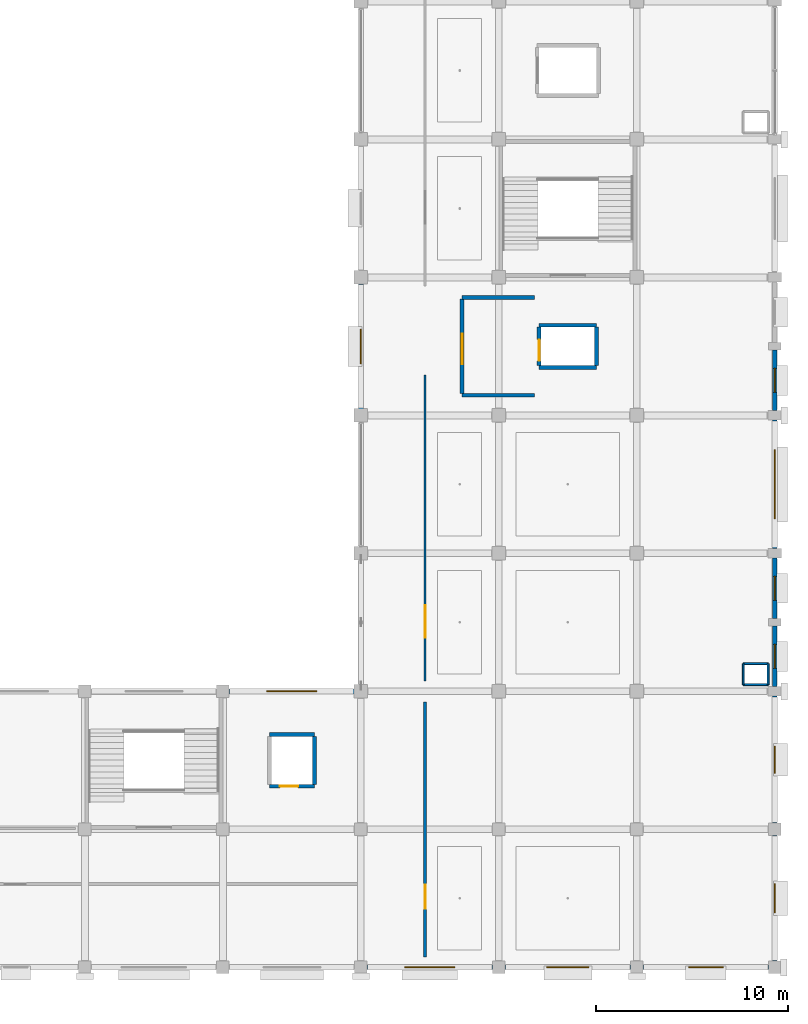
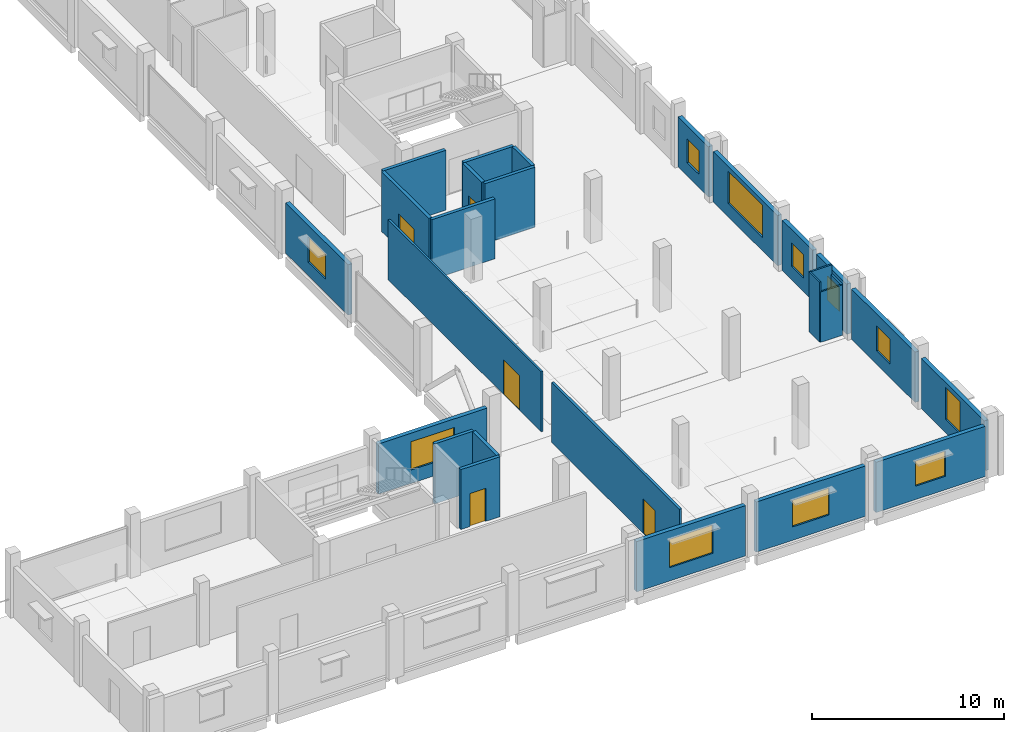
# One storey, part 71 of 91: 27 walls, 11 windows, 5 doors, 16 openings.
"""IFC4 building model written with IfcOpenShell, lengths in metres."""

from ifc_helpers import new_model, si_unit, direction, frame, frame_2d, origin, place, context, subcontext, project, spatial, rectangle, extrude, material, layer, layer_set, type_object, element, fill, save


model = new_model("IFC4")

# Units and contexts
model_context = context("Model", 3, precision=1e-05, world=origin(), true_north=direction((0.0, 1.0)))
body_context = subcontext(model_context, "Body", "Model", "MODEL_VIEW")
ifc_project = project(units=[si_unit("LENGTHUNIT", "METRE"), si_unit("AREAUNIT", "SQUARE_METRE"), si_unit("VOLUMEUNIT", "CUBIC_METRE"), si_unit("PLANEANGLEUNIT", "RADIAN"), si_unit("MASSUNIT", "GRAM", prefix="KILO")], contexts=[model_context])

# Site, building, storey
site_placement = place(None, origin())
site = spatial("IfcSite", under=ifc_project, at=site_placement, CompositionType="ELEMENT")
building_placement = place(site_placement, origin())
building = spatial("IfcBuilding", under=site, at=building_placement, Name="Kangsadwip Square Police Headquarters", CompositionType="ELEMENT")
storey_placement = place(building_placement, frame((0.0, 0.0, 13.5)))
storey = spatial("IfcBuildingStorey", under=building, at=storey_placement, Name="L03", CompositionType="ELEMENT", Elevation=13.5)

# Wall, opening, door
ifc_material_1 = material(Name="Fire-rated double gypsum board acoustic stud partition", Category="masonry")
ifc_layer_1 = layer(ifc_material_1, 0.1201171875)
ifc_layer_set_1 = layer_set([ifc_layer_1], Name="Fire-rated double gypsum board acoustic stud partition")
wall_type_1 = type_object("IfcWallType", Name="AcousticPartition120", PredefinedType="PARTITIONING", material=ifc_layer_set_1)
wall_1_placement = place(storey_placement, frame((147.35009765625, 36.550048828125, 0.0), z_axis=(0.0, 0.0, 1.0), x_axis=(0.0, 1.0, 0.0)))
wall_1 = element("IfcWall", 1, at=wall_1_placement, inside=storey, type_object=wall_type_1, Name="Interior Wall WI-L03-0824", PredefinedType="PARTITIONING", context=body_context, shape_type="SweptSolid", body=[
    extrude(rectangle(XDim=15.949951171875, YDim=0.1201171875, at=frame_2d((7.97509765625, 0.0))), origin(), (0.0, 0.0, 1.0), 3.81005859375),
])
opening_1_placement = place(wall_1_placement, frame((2.25, 0.0, 0.0)))
opening_1 = element("IfcOpeningElement", 2, at=opening_1_placement, cuts=wall_1, Name="Opening ID-17", PredefinedType="OPENING", context=body_context, shape_type="SweptSolid", body=[
    extrude(rectangle(XDim=1.699951171875, YDim=2.199951171875, at=frame_2d((0.85009765625, 1.10009765625))), frame((0.0, 0.070068359375, 0.0), z_axis=(0.0, -1.0, 0.0), x_axis=(1.0, 0.0, 0.0)), (0.0, 0.0, 1.0), 0.14013671875),
])
ifc_material_2 = material(Name="Insulated galvanized steel fire-rated door assembly", Category="steel")
door_type_1 = type_object("IfcDoorType", Name="LabDoubleDoor1700x2200", OperationType="DOUBLE_DOOR_SINGLE_SWING", PredefinedType="DOOR", material=ifc_material_2)
door_1_placement = place(opening_1_placement, origin())
door_1 = element("IfcDoor", 3, at=door_1_placement, inside=storey, type_object=door_type_1, Name="Interior Door ID-L03-0216", OperationType="DOUBLE_DOOR_SINGLE_SWING", OverallHeight=2.199951171875, OverallWidth=1.699951171875, PredefinedType="DOOR", context=body_context, shape_type="SweptSolid", body=[
    extrude(rectangle(XDim=1.699951171875, YDim=2.199951171875, at=frame_2d((0.85009765625, 1.10009765625))), frame((0.0, 0.02490234375, 0.0), z_axis=(0.0, -1.0, 0.0), x_axis=(1.0, 0.0, 0.0)), (0.0, 0.0, 1.0), 0.050048828125),
])
fill(opening_1, door_1)

ifc_material_3 = material(Name="Autoclaved aerated concrete blockwork masonry", Category="masonry")
ifc_layer_2 = layer(ifc_material_3, 0.14990234375)
ifc_layer_set_2 = layer_set([ifc_layer_2], Name="Autoclaved aerated concrete blockwork masonry")
wall_type_2 = type_object("IfcWallType", Name="BlockPartition150", PredefinedType="PARTITIONING", material=ifc_layer_set_2)
wall_2_placement = place(storey_placement, frame((147.35009765625, 22.14990234375, 0.0), z_axis=(0.0, 0.0, 1.0), x_axis=(0.0, 1.0, 0.0)))
wall_2 = element("IfcWall", 4, at=wall_2_placement, inside=storey, type_object=wall_type_2, Name="Interior Wall WI-L03-0829", PredefinedType="PARTITIONING", context=body_context, shape_type="SweptSolid", body=[
    extrude(rectangle(XDim=13.300048828125, YDim=0.14990234375, at=frame_2d((6.64990234375, 0.0))), origin(), (0.0, 0.0, 1.0), 3.81005859375),
])
opening_2_placement = place(wall_2_placement, frame((2.510009765625, 0.0, 0.0)))
opening_2 = element("IfcOpeningElement", 5, at=opening_2_placement, cuts=wall_2, Name="Opening ID-12A", PredefinedType="OPENING", context=body_context, shape_type="SweptSolid", body=[
    extrude(rectangle(XDim=1.25, YDim=2.199951171875, at=frame_2d((0.625, 1.10009765625))), frame((0.0, 0.0849609375, 0.0), z_axis=(0.0, -1.0, 0.0), x_axis=(1.0, 0.0, 0.0)), (0.0, 0.0, 1.0), 0.169921875),
])
ifc_material_4 = material(Name="Solid-core seasoned teak hardwood architectural door", Category="wood")
door_type_2 = type_object("IfcDoorType", Name="ClassroomDoor1250x2200", OperationType="NOTDEFINED", PredefinedType="DOOR", material=ifc_material_4)
door_2_placement = place(opening_2_placement, origin())
door_2 = element("IfcDoor", 6, at=door_2_placement, inside=storey, type_object=door_type_2, Name="Interior Door ID-L03-0220", OperationType="SINGLE_SWING_LEFT", OverallHeight=2.199951171875, OverallWidth=1.25, PredefinedType="DOOR", context=body_context, shape_type="SweptSolid", body=[
    extrude(rectangle(XDim=1.25, YDim=2.199951171875, at=frame_2d((0.625, 1.10009765625))), frame((0.0, 0.02490234375, 0.0), z_axis=(0.0, -1.0, 0.0), x_axis=(1.0, 0.0, 0.0)), (0.0, 0.0, 1.0), 0.050048828125),
])
fill(opening_2, door_2)

# Wall, opening, window
ifc_material_5 = material(Name="Glazed architectural terracotta masonry rainscreen", Category="masonry")
ifc_layer_3 = layer(ifc_material_5, 0.25)
ifc_layer_set_3 = layer_set([ifc_layer_3], Name="Glazed architectural terracotta masonry rainscreen")
wall_type_3 = type_object("IfcWallType", Name="ChicagoTerracottaWall250", PredefinedType="SOLIDWALL", material=ifc_layer_set_3)
wall_3_placement = place(storey_placement, frame((144.320068359375, 21.60009765625, 0.0), z_axis=(0.0, 0.0, 1.0), x_axis=(1.0, 0.0, 0.0)))
wall_3 = element("IfcWall", 7, at=wall_3_placement, inside=storey, type_object=wall_type_3, Name="Exterior Wall WE-L03-366", PredefinedType="SOLIDWALL", context=body_context, shape_type="SweptSolid", body=[
    extrude(rectangle(XDim=6.559814453125, YDim=0.25, at=frame_2d((3.27978515625, 0.0))), origin(), (0.0, 0.0, 1.0), 3.195068359375),
])
opening_3_placement = place(wall_3_placement, frame((1.97998046875, 0.0, 0.85009765625)))
opening_3 = element("IfcOpeningElement", 8, at=opening_3_placement, cuts=wall_3, Name="Opening WN-06", PredefinedType="OPENING", context=body_context, shape_type="SweptSolid", body=[
    extrude(rectangle(XDim=2.60009765625, YDim=1.800048828125, at=frame_2d((1.300048828125, 0.89990234375))), frame((0.0, 0.135009765625, 0.0), z_axis=(0.0, -1.0, 0.0), x_axis=(1.0, 0.0, 0.0)), (0.0, 0.0, 1.0), 0.27001953125),
])
ifc_material_6 = material(Name="Double-glazed solar-control low-E safety glass", Category="glass")
window_type_1 = type_object("IfcWindowType", Name="ChicagoDoubleMullWin2600x1800", PartitioningType="DOUBLE_PANEL_VERTICAL", PredefinedType="WINDOW", material=ifc_material_6)
window_1_placement = place(opening_3_placement, origin())
window_1 = element("IfcWindow", 9, at=window_1_placement, inside=storey, type_object=window_type_1, Name="Window WN-L03-0219", OverallHeight=1.800048828125, OverallWidth=2.60009765625, PartitioningType="SINGLE_PANEL", PredefinedType="WINDOW", context=body_context, shape_type="SweptSolid", body=[
    extrude(rectangle(XDim=2.60009765625, YDim=1.800048828125, at=frame_2d((1.300048828125, 0.89990234375))), frame((0.0, 0.030029296875, 0.0), z_axis=(0.0, -1.0, 0.0), x_axis=(1.0, 0.0, 0.0)), (0.0, 0.0, 1.0), 0.06005859375),
])
fill(opening_3, window_1)

wall_4_placement = place(storey_placement, frame((151.52001953125, 21.60009765625, 0.0), z_axis=(0.0, 0.0, 1.0), x_axis=(1.0, 0.0, 0.0)))
wall_4 = element("IfcWall", 10, at=wall_4_placement, inside=storey, type_object=wall_type_3, Name="Exterior Wall WE-L03-367", PredefinedType="SOLIDWALL", context=body_context, shape_type="SweptSolid", body=[
    extrude(rectangle(XDim=6.56005859375, YDim=0.25, at=frame_2d((3.280029296875, 0.0))), origin(), (0.0, 0.0, 1.0), 3.195068359375),
])
opening_4_placement = place(wall_4_placement, frame((2.179931640625, 0.0, 0.85009765625)))
opening_4 = element("IfcOpeningElement", 11, at=opening_4_placement, cuts=wall_4, Name="Opening WN-08", PredefinedType="OPENING", context=body_context, shape_type="SweptSolid", body=[
    extrude(rectangle(XDim=2.199951171875, YDim=1.699951171875, at=frame_2d((1.10009765625, 0.85009765625))), frame((0.0, 0.135009765625, 0.0), z_axis=(0.0, -1.0, 0.0), x_axis=(1.0, 0.0, 0.0)), (0.0, 0.0, 1.0), 0.27001953125),
])
ifc_material_7 = material(Name="Double-glazed solar-control low-E safety glass", Category="glass")
window_type_2 = type_object("IfcWindowType", Name="ChicagoDoubleMullWin2200x1700", PartitioningType="DOUBLE_PANEL_VERTICAL", PredefinedType="WINDOW", material=ifc_material_7)
window_2_placement = place(opening_4_placement, origin())
window_2 = element("IfcWindow", 12, at=window_2_placement, inside=storey, type_object=window_type_2, Name="Window WN-L03-0220", OverallHeight=1.699951171875, OverallWidth=2.199951171875, PartitioningType="SINGLE_PANEL", PredefinedType="WINDOW", context=body_context, shape_type="SweptSolid", body=[
    extrude(rectangle(XDim=2.199951171875, YDim=1.699951171875, at=frame_2d((1.10009765625, 0.85009765625))), frame((0.0, 0.030029296875, 0.0), z_axis=(0.0, -1.0, 0.0), x_axis=(1.0, 0.0, 0.0)), (0.0, 0.0, 1.0), 0.06005859375),
])
fill(opening_4, window_2)

wall_5_placement = place(storey_placement, frame((158.719970703125, 21.60009765625, 0.0), z_axis=(0.0, 0.0, 1.0), x_axis=(1.0, 0.0, 0.0)))
wall_5 = element("IfcWall", 13, at=wall_5_placement, inside=storey, type_object=wall_type_3, Name="Exterior Wall WE-L03-368", PredefinedType="SOLIDWALL", context=body_context, shape_type="SweptSolid", body=[
    extrude(rectangle(XDim=6.56005859375, YDim=0.25, at=frame_2d((3.280029296875, 0.0))), origin(), (0.0, 0.0, 1.0), 3.195068359375),
])
opening_5_placement = place(wall_5_placement, frame((2.3798828125, 0.0, 0.85009765625)))
opening_5 = element("IfcOpeningElement", 14, at=opening_5_placement, cuts=wall_5, Name="Opening WN-10", PredefinedType="OPENING", context=body_context, shape_type="SweptSolid", body=[
    extrude(rectangle(XDim=1.800048828125, YDim=1.60009765625, at=frame_2d((0.89990234375, 0.800048828125))), frame((0.0, 0.135009765625, 0.0), z_axis=(0.0, -1.0, 0.0), x_axis=(1.0, 0.0, 0.0)), (0.0, 0.0, 1.0), 0.27001953125),
])
ifc_material_8 = material(Name="Double-glazed solar-control low-E safety glass", Category="glass")
window_type_3 = type_object("IfcWindowType", Name="LabCleanViewWin1800x1600", PartitioningType="DOUBLE_PANEL_VERTICAL", PredefinedType="WINDOW", material=ifc_material_8)
window_3_placement = place(opening_5_placement, origin())
window_3 = element("IfcWindow", 15, at=window_3_placement, inside=storey, type_object=window_type_3, Name="Window WN-L03-0221", OverallHeight=1.60009765625, OverallWidth=1.800048828125, PartitioningType="SINGLE_PANEL", PredefinedType="WINDOW", context=body_context, shape_type="SweptSolid", body=[
    extrude(rectangle(XDim=1.800048828125, YDim=1.60009765625, at=frame_2d((0.89990234375, 0.800048828125))), frame((0.0, 0.030029296875, 0.0), z_axis=(0.0, -1.0, 0.0), x_axis=(1.0, 0.0, 0.0)), (0.0, 0.0, 1.0), 0.06005859375),
])
fill(opening_5, window_3)

wall_6_placement = place(storey_placement, frame((137.1201171875, 36.0, 0.0), z_axis=(0.0, 0.0, 1.0), x_axis=(1.0, 0.0, 0.0)))
wall_6 = element("IfcWall", 16, at=wall_6_placement, inside=storey, type_object=wall_type_3, Name="Exterior Wall WE-L03-374", PredefinedType="SOLIDWALL", context=body_context, shape_type="SweptSolid", body=[
    extrude(rectangle(XDim=6.534912109375, YDim=0.25, at=frame_2d((3.267578125, 0.0))), origin(), (0.0, 0.0, 1.0), 3.195068359375),
])
opening_6_placement = place(wall_6_placement, frame((1.967529296875, 0.0, 0.85009765625)))
opening_6 = element("IfcOpeningElement", 17, at=opening_6_placement, cuts=wall_6, Name="Opening WN-06", PredefinedType="OPENING", context=body_context, shape_type="SweptSolid", body=[
    extrude(rectangle(XDim=2.60009765625, YDim=1.800048828125, at=frame_2d((1.300048828125, 0.89990234375))), frame((0.0, 0.135009765625, 0.0), z_axis=(0.0, -1.0, 0.0), x_axis=(1.0, 0.0, 0.0)), (0.0, 0.0, 1.0), 0.27001953125),
])
window_4_placement = place(opening_6_placement, origin())
window_4 = element("IfcWindow", 18, at=window_4_placement, inside=storey, type_object=window_type_1, Name="Window WN-L03-0227", OverallHeight=1.800048828125, OverallWidth=2.60009765625, PartitioningType="SINGLE_PANEL", PredefinedType="WINDOW", context=body_context, shape_type="SweptSolid", body=[
    extrude(rectangle(XDim=2.60009765625, YDim=1.800048828125, at=frame_2d((1.300048828125, 0.89990234375))), frame((0.0, 0.030029296875, 0.0), z_axis=(0.0, -1.0, 0.0), x_axis=(1.0, 0.0, 0.0)), (0.0, 0.0, 1.0), 0.06005859375),
])
fill(opening_6, window_4)

wall_7_placement = place(storey_placement, frame((144.0, 50.7451171875, 0.0), z_axis=(0.0, 0.0, 1.0), x_axis=(0.0, 1.0, 0.0)))
wall_7 = element("IfcWall", 19, at=wall_7_placement, inside=storey, type_object=wall_type_3, Name="Exterior Wall WE-L03-403", PredefinedType="SOLIDWALL", context=body_context, shape_type="SweptSolid", body=[
    extrude(rectangle(XDim=6.509765625, YDim=0.25, at=frame_2d((3.2548828125, 0.0))), origin(), (0.0, 0.0, 1.0), 3.195068359375),
])
opening_7_placement = place(wall_7_placement, frame((2.35498046875, 0.0, 0.85009765625)))
opening_7 = element("IfcOpeningElement", 20, at=opening_7_placement, cuts=wall_7, Name="Opening WN-10", PredefinedType="OPENING", context=body_context, shape_type="SweptSolid", body=[
    extrude(rectangle(XDim=1.800048828125, YDim=1.60009765625, at=frame_2d((0.89990234375, 0.800048828125))), frame((0.0, 0.135009765625, 0.0), z_axis=(0.0, -1.0, 0.0), x_axis=(1.0, 0.0, 0.0)), (0.0, 0.0, 1.0), 0.27001953125),
])
window_5_placement = place(opening_7_placement, origin())
window_5 = element("IfcWindow", 21, at=window_5_placement, inside=storey, type_object=window_type_3, Name="Window WN-L03-0254", OverallHeight=1.60009765625, OverallWidth=1.800048828125, PartitioningType="SINGLE_PANEL", PredefinedType="WINDOW", context=body_context, shape_type="SweptSolid", body=[
    extrude(rectangle(XDim=1.800048828125, YDim=1.60009765625, at=frame_2d((0.89990234375, 0.800048828125))), frame((0.0, 0.030029296875, 0.0), z_axis=(0.0, -1.0, 0.0), x_axis=(1.0, 0.0, 0.0)), (0.0, 0.0, 1.0), 0.06005859375),
])
fill(opening_7, window_5)

wall_8_placement = place(storey_placement, frame((165.60009765625, 21.919921875, 0.0), z_axis=(0.0, 0.0, 1.0), x_axis=(0.0, 1.0, 0.0)))
wall_8 = element("IfcWall", 22, at=wall_8_placement, inside=storey, type_object=wall_type_3, Name="Exterior Wall WE-L03-407", PredefinedType="SOLIDWALL", context=body_context, shape_type="SweptSolid", body=[
    extrude(rectangle(XDim=6.56005859375, YDim=0.25, at=frame_2d((3.280029296875, 0.0))), origin(), (0.0, 0.0, 1.0), 3.195068359375),
])
opening_8_placement = place(wall_8_placement, frame((2.530029296875, 0.0, 0.85009765625)))
opening_8 = element("IfcOpeningElement", 23, at=opening_8_placement, cuts=wall_8, Name="Opening WN-12", PredefinedType="OPENING", context=body_context, shape_type="SweptSolid", body=[
    extrude(rectangle(XDim=1.5, YDim=2.050048828125, at=frame_2d((0.75, 1.02490234375))), frame((0.0, 0.135009765625, 0.0), z_axis=(0.0, -1.0, 0.0), x_axis=(1.0, 0.0, 0.0)), (0.0, 0.0, 1.0), 0.27001953125),
])
ifc_material_9 = material(Name="Double-glazed solar-control low-E safety glass", Category="glass")
window_type_4 = type_object("IfcWindowType", Name="DirectorateTallWin1500x2050", PartitioningType="SINGLE_PANEL", PredefinedType="WINDOW", material=ifc_material_9)
window_6_placement = place(opening_8_placement, origin())
window_6 = element("IfcWindow", 24, at=window_6_placement, inside=storey, type_object=window_type_4, Name="Window WN-L03-0258", OverallHeight=2.050048828125, OverallWidth=1.5, PartitioningType="SINGLE_PANEL", PredefinedType="WINDOW", context=body_context, shape_type="SweptSolid", body=[
    extrude(rectangle(XDim=1.5, YDim=2.050048828125, at=frame_2d((0.75, 1.02490234375))), frame((0.0, 0.030029296875, 0.0), z_axis=(0.0, -1.0, 0.0), x_axis=(1.0, 0.0, 0.0)), (0.0, 0.0, 1.0), 0.06005859375),
])
fill(opening_8, window_6)

wall_9_placement = place(storey_placement, frame((165.60009765625, 29.1201171875, 0.0), z_axis=(0.0, 0.0, 1.0), x_axis=(0.0, 1.0, 0.0)))
wall_9 = element("IfcWall", 25, at=wall_9_placement, inside=storey, type_object=wall_type_3, Name="Exterior Wall WE-L03-408", PredefinedType="SOLIDWALL", context=body_context, shape_type="SweptSolid", body=[
    extrude(rectangle(XDim=6.634765625, YDim=0.25, at=frame_2d((3.3173828125, 0.0))), origin(), (0.0, 0.0, 1.0), 3.195068359375),
])
opening_9_placement = place(wall_9_placement, frame((2.617431640625, 0.0, 0.85009765625)))
opening_9 = element("IfcOpeningElement", 26, at=opening_9_placement, cuts=wall_9, Name="Opening WN-13", PredefinedType="OPENING", context=body_context, shape_type="SweptSolid", body=[
    extrude(rectangle(XDim=1.39990234375, YDim=1.60009765625, at=frame_2d((0.699951171875, 0.800048828125))), frame((0.0, 0.135009765625, 0.0), z_axis=(0.0, -1.0, 0.0), x_axis=(1.0, 0.0, 0.0)), (0.0, 0.0, 1.0), 0.27001953125),
])
ifc_material_10 = material(Name="Double-glazed solar-control low-E safety glass", Category="glass")
window_type_5 = type_object("IfcWindowType", Name="OfficeCasementWin1400x1600", PartitioningType="SINGLE_PANEL", PredefinedType="WINDOW", material=ifc_material_10)
window_7_placement = place(opening_9_placement, origin())
window_7 = element("IfcWindow", 27, at=window_7_placement, inside=storey, type_object=window_type_5, Name="Window WN-L03-0259", OverallHeight=1.60009765625, OverallWidth=1.39990234375, PartitioningType="SINGLE_PANEL", PredefinedType="WINDOW", context=body_context, shape_type="SweptSolid", body=[
    extrude(rectangle(XDim=1.39990234375, YDim=1.60009765625, at=frame_2d((0.699951171875, 0.800048828125))), frame((0.0, 0.030029296875, 0.0), z_axis=(0.0, -1.0, 0.0), x_axis=(1.0, 0.0, 0.0)), (0.0, 0.0, 1.0), 0.06005859375),
])
fill(opening_9, window_7)

wall_10_placement = place(storey_placement, frame((165.60009765625, 36.2451171875, 0.0), z_axis=(0.0, 0.0, 1.0), x_axis=(0.0, 1.0, 0.0)))
wall_10 = element("IfcWall", 28, at=wall_10_placement, inside=storey, type_object=wall_type_3, Name="Exterior Wall WE-L03-409", PredefinedType="SOLIDWALL", context=body_context, shape_type="SweptSolid", body=[
    extrude(rectangle(XDim=3.159912109375, YDim=0.25, at=frame_2d((1.580078125, 0.0))), origin(), (0.0, 0.0, 1.0), 3.195068359375),
])
opening_10_placement = place(wall_10_placement, frame((0.955078125, 0.0, 0.85009765625)))
opening_10 = element("IfcOpeningElement", 29, at=opening_10_placement, cuts=wall_10, Name="Opening WN-14", PredefinedType="OPENING", context=body_context, shape_type="SweptSolid", body=[
    extrude(rectangle(XDim=1.25, YDim=1.5, at=frame_2d((0.625, 0.75))), frame((0.0, 0.135009765625, 0.0), z_axis=(0.0, -1.0, 0.0), x_axis=(1.0, 0.0, 0.0)), (0.0, 0.0, 1.0), 0.27001953125),
])
ifc_material_11 = material(Name="Double-glazed solar-control low-E safety glass", Category="glass")
window_type_6 = type_object("IfcWindowType", Name="OfficeCasementWin1250x1500", PartitioningType="SINGLE_PANEL", PredefinedType="WINDOW", material=ifc_material_11)
window_8_placement = place(opening_10_placement, origin())
window_8 = element("IfcWindow", 30, at=window_8_placement, inside=storey, type_object=window_type_6, Name="Window WN-L03-0260", OverallHeight=1.5, OverallWidth=1.25, PartitioningType="SINGLE_PANEL", PredefinedType="WINDOW", context=body_context, shape_type="SweptSolid", body=[
    extrude(rectangle(XDim=1.25, YDim=1.5, at=frame_2d((0.625, 0.75))), frame((0.0, 0.030029296875, 0.0), z_axis=(0.0, -1.0, 0.0), x_axis=(1.0, 0.0, 0.0)), (0.0, 0.0, 1.0), 0.06005859375),
])
fill(opening_10, window_8)

wall_11_placement = place(storey_placement, frame((165.60009765625, 39.794921875, 0.0), z_axis=(0.0, 0.0, 1.0), x_axis=(0.0, 1.0, 0.0)))
wall_11 = element("IfcWall", 31, at=wall_11_placement, inside=storey, type_object=wall_type_3, Name="Exterior Wall WE-L03-410", PredefinedType="SOLIDWALL", context=body_context, shape_type="SweptSolid", body=[
    extrude(rectangle(XDim=3.16015625, YDim=0.25, at=frame_2d((1.580078125, 0.0))), origin(), (0.0, 0.0, 1.0), 3.195068359375),
])
opening_11_placement = place(wall_11_placement, frame((0.955078125, 0.0, 0.85009765625)))
opening_11 = element("IfcOpeningElement", 32, at=opening_11_placement, cuts=wall_11, Name="Opening WN-14", PredefinedType="OPENING", context=body_context, shape_type="SweptSolid", body=[
    extrude(rectangle(XDim=1.25, YDim=1.5, at=frame_2d((0.625, 0.75))), frame((0.0, 0.135009765625, 0.0), z_axis=(0.0, -1.0, 0.0), x_axis=(1.0, 0.0, 0.0)), (0.0, 0.0, 1.0), 0.27001953125),
])
window_9_placement = place(opening_11_placement, origin())
window_9 = element("IfcWindow", 33, at=window_9_placement, inside=storey, type_object=window_type_6, Name="Window WN-L03-0261", OverallHeight=1.5, OverallWidth=1.25, PartitioningType="SINGLE_PANEL", PredefinedType="WINDOW", context=body_context, shape_type="SweptSolid", body=[
    extrude(rectangle(XDim=1.25, YDim=1.5, at=frame_2d((0.625, 0.75))), frame((0.0, 0.030029296875, 0.0), z_axis=(0.0, -1.0, 0.0), x_axis=(1.0, 0.0, 0.0)), (0.0, 0.0, 1.0), 0.06005859375),
])
fill(opening_11, window_9)

wall_12_placement = place(storey_placement, frame((165.60009765625, 43.445068359375, 0.0), z_axis=(0.0, 0.0, 1.0), x_axis=(0.0, 1.0, 0.0)))
wall_12 = element("IfcWall", 34, at=wall_12_placement, inside=storey, type_object=wall_type_3, Name="Exterior Wall WE-L03-411", PredefinedType="SOLIDWALL", context=body_context, shape_type="SweptSolid", body=[
    extrude(rectangle(XDim=6.7099609375, YDim=0.25, at=frame_2d((3.35498046875, 0.0))), origin(), (0.0, 0.0, 1.0), 3.195068359375),
])
opening_12_placement = place(wall_12_placement, frame((1.554931640625, 0.0, 0.85009765625)))
opening_12 = element("IfcOpeningElement", 35, at=opening_12_placement, cuts=wall_12, Name="Opening WN-01", PredefinedType="OPENING", context=body_context, shape_type="SweptSolid", body=[
    extrude(rectangle(XDim=3.60009765625, YDim=2.050048828125, at=frame_2d((1.800048828125, 1.02490234375))), frame((0.0, 0.135009765625, 0.0), z_axis=(0.0, -1.0, 0.0), x_axis=(1.0, 0.0, 0.0)), (0.0, 0.0, 1.0), 0.27001953125),
])
ifc_material_12 = material(Name="Double-glazed solar-control low-E safety glass", Category="glass")
window_type_7 = type_object("IfcWindowType", Name="ChicagoTripartiteWin3600x2050", PartitioningType="TRIPLE_PANEL_HORIZONTAL", PredefinedType="WINDOW", material=ifc_material_12)
window_10_placement = place(opening_12_placement, origin())
window_10 = element("IfcWindow", 36, at=window_10_placement, inside=storey, type_object=window_type_7, Name="Window WN-L03-0262", OverallHeight=2.050048828125, OverallWidth=3.60009765625, PartitioningType="SINGLE_PANEL", PredefinedType="WINDOW", context=body_context, shape_type="SweptSolid", body=[
    extrude(rectangle(XDim=3.60009765625, YDim=2.050048828125, at=frame_2d((1.800048828125, 1.02490234375))), frame((0.0, 0.030029296875, 0.0), z_axis=(0.0, -1.0, 0.0), x_axis=(1.0, 0.0, 0.0)), (0.0, 0.0, 1.0), 0.06005859375),
])
fill(opening_12, window_10)

wall_13_placement = place(storey_placement, frame((165.60009765625, 50.64501953125, 0.0), z_axis=(0.0, 0.0, 1.0), x_axis=(0.0, 1.0, 0.0)))
wall_13 = element("IfcWall", 37, at=wall_13_placement, inside=storey, type_object=wall_type_3, Name="Exterior Wall WE-L03-412", PredefinedType="SOLIDWALL", context=body_context, shape_type="SweptSolid", body=[
    extrude(rectangle(XDim=3.159912109375, YDim=0.25, at=frame_2d((1.580078125, 0.0))), origin(), (0.0, 0.0, 1.0), 3.195068359375),
])
opening_13_placement = place(wall_13_placement, frame((0.955078125, 0.0, 0.85009765625)))
opening_13 = element("IfcOpeningElement", 38, at=opening_13_placement, cuts=wall_13, Name="Opening WN-14", PredefinedType="OPENING", context=body_context, shape_type="SweptSolid", body=[
    extrude(rectangle(XDim=1.25, YDim=1.5, at=frame_2d((0.625, 0.75))), frame((0.0, 0.135009765625, 0.0), z_axis=(0.0, -1.0, 0.0), x_axis=(1.0, 0.0, 0.0)), (0.0, 0.0, 1.0), 0.27001953125),
])
window_11_placement = place(opening_13_placement, origin())
window_11 = element("IfcWindow", 39, at=window_11_placement, inside=storey, type_object=window_type_6, Name="Window WN-L03-0263", OverallHeight=1.5, OverallWidth=1.25, PartitioningType="SINGLE_PANEL", PredefinedType="WINDOW", context=body_context, shape_type="SweptSolid", body=[
    extrude(rectangle(XDim=1.25, YDim=1.5, at=frame_2d((0.625, 0.75))), frame((0.0, 0.030029296875, 0.0), z_axis=(0.0, -1.0, 0.0), x_axis=(1.0, 0.0, 0.0)), (0.0, 0.0, 1.0), 0.06005859375),
])
fill(opening_13, window_11)

# Walls
ifc_material_13 = material(Name="Concrete M40 (40 MPa)", Category="concrete")
ifc_layer_4 = layer(ifc_material_13, 0.199951171875)
ifc_layer_set_4 = layer_set([ifc_layer_4], Name="Concrete M40 (40 MPa)")
wall_type_4 = type_object("IfcWallType", Name="CoreShearWall200", PredefinedType="SHEAR", material=ifc_layer_set_4)
for number, where, z_axis, x_axis, name in (
    (40, (153.300048828125, 52.89990234375, 0.0), (0.0, 0.0, 1.0), (1.0, 0.0, 0.0), "Interior Wall WI-L03-0327"),
    (41, (153.300048828125, 55.10009765625, 0.0), (0.0, 0.0, 1.0), (1.0, 0.0, 0.0), "Interior Wall WI-L03-0328"),
):
    element("IfcWall", number, at=place(storey_placement, frame(where, z_axis=z_axis, x_axis=x_axis)), inside=storey, type_object=wall_type_4, Name=name, PredefinedType="SHEAR", context=body_context, shape_type="SweptSolid", body=[
        extrude(rectangle(XDim=3.0, YDim=0.199951171875, at=frame_2d((1.5, 0.0))), origin(), (0.0, 0.0, 1.0), 3.81005859375),
    ])

# Wall, opening, door
wall_14_placement = place(storey_placement, frame((153.300048828125, 53.0, 0.0), z_axis=(0.0, 0.0, 1.0), x_axis=(0.0, 1.0, 0.0)))
wall_14 = element("IfcWall", 42, at=wall_14_placement, inside=storey, type_object=wall_type_4, Name="Interior Wall WI-L03-0329", PredefinedType="SHEAR", context=body_context, shape_type="SweptSolid", body=[
    extrude(rectangle(XDim=2.0, YDim=0.199951171875, at=frame_2d((1.0, 0.0))), origin(), (0.0, 0.0, 1.0), 3.81005859375),
])
opening_14_placement = place(wall_14_placement, frame((0.25, 0.0, 0.0)))
opening_14 = element("IfcOpeningElement", 43, at=opening_14_placement, cuts=wall_14, Name="Opening LD-023", PredefinedType="OPENING", context=body_context, shape_type="SweptSolid", body=[
    extrude(rectangle(XDim=1.10009765625, YDim=2.14990234375, at=frame_2d((0.550048828125, 1.074951171875))), frame((0.0, 0.10986328125, 0.0), z_axis=(0.0, -1.0, 0.0), x_axis=(1.0, 0.0, 0.0)), (0.0, 0.0, 1.0), 0.219970703125),
])
ifc_material_14 = material(Name="Brushed stainless steel automatic sliding lift landing door", Category="steel")
door_type_3 = type_object("IfcDoorType", Name="LiftLandingDoor1100x2150", OperationType="DOUBLE_DOOR_SLIDING", PredefinedType="DOOR", material=ifc_material_14)
door_3_placement = place(opening_14_placement, origin())
door_3 = element("IfcDoor", 44, at=door_3_placement, inside=storey, type_object=door_type_3, Name="Interior Door LD-023", OperationType="DOUBLE_DOOR_SLIDING", OverallHeight=2.14990234375, OverallWidth=1.10009765625, PredefinedType="DOOR", context=body_context, shape_type="SweptSolid", body=[
    extrude(rectangle(XDim=1.10009765625, YDim=2.14990234375, at=frame_2d((0.550048828125, 1.074951171875))), frame((0.0, 0.02490234375, 0.0), z_axis=(0.0, -1.0, 0.0), x_axis=(1.0, 0.0, 0.0)), (0.0, 0.0, 1.0), 0.050048828125),
])
fill(opening_14, door_3)

# Wall
wall_15_placement = place(storey_placement, frame((156.300048828125, 53.0, 0.0), z_axis=(0.0, 0.0, 1.0), x_axis=(0.0, 1.0, 0.0)))
element("IfcWall", 45, at=wall_15_placement, inside=storey, type_object=wall_type_4, Name="Interior Wall WI-L03-0330", PredefinedType="SHEAR", context=body_context, shape_type="SweptSolid", body=[
    extrude(rectangle(XDim=2.0, YDim=0.199951171875, at=frame_2d((1.0, 0.0))), origin(), (0.0, 0.0, 1.0), 3.81005859375),
])

# Wall, opening, door
wall_16_placement = place(storey_placement, frame((139.22509765625, 31.050048828125, 0.0), z_axis=(0.0, 0.0, 1.0), x_axis=(1.0, 0.0, 0.0)))
wall_16 = element("IfcWall", 46, at=wall_16_placement, inside=storey, type_object=wall_type_4, Name="Interior Wall WI-L03-0499", PredefinedType="SHEAR", context=body_context, shape_type="SweptSolid", body=[
    extrude(rectangle(XDim=2.349853515625, YDim=0.199951171875, at=frame_2d((1.1748046875, 0.0))), origin(), (0.0, 0.0, 1.0), 3.81005859375),
])
opening_15_placement = place(wall_16_placement, frame((0.550048828125, 0.0, 0.0)))
opening_15 = element("IfcOpeningElement", 47, at=opening_15_placement, cuts=wall_16, Name="Opening LD-061", PredefinedType="OPENING", context=body_context, shape_type="SweptSolid", body=[
    extrude(rectangle(XDim=0.949951171875, YDim=2.10009765625, at=frame_2d((0.47509765625, 1.050048828125))), frame((0.0, 0.10986328125, 0.0), z_axis=(0.0, -1.0, 0.0), x_axis=(1.0, 0.0, 0.0)), (0.0, 0.0, 1.0), 0.219970703125),
])
ifc_material_15 = material(Name="Brushed stainless steel automatic sliding lift landing door", Category="steel")
door_type_4 = type_object("IfcDoorType", Name="LiftLandingDoor950x2100", OperationType="DOUBLE_DOOR_SLIDING", PredefinedType="DOOR", material=ifc_material_15)
door_4_placement = place(opening_15_placement, origin())
door_4 = element("IfcDoor", 48, at=door_4_placement, inside=storey, type_object=door_type_4, Name="Interior Door LD-061", OperationType="DOUBLE_DOOR_SLIDING", OverallHeight=2.10009765625, OverallWidth=0.949951171875, PredefinedType="DOOR", context=body_context, shape_type="SweptSolid", body=[
    extrude(rectangle(XDim=0.949951171875, YDim=2.10009765625, at=frame_2d((0.47509765625, 1.050048828125))), frame((0.0, 0.02490234375, 0.0), z_axis=(0.0, -1.0, 0.0), x_axis=(1.0, 0.0, 0.0)), (0.0, 0.0, 1.0), 0.050048828125),
])
fill(opening_15, door_4)

# Walls
wall_17_placement = place(storey_placement, frame((139.22509765625, 33.75, 0.0), z_axis=(0.0, 0.0, 1.0), x_axis=(1.0, 0.0, 0.0)))
element("IfcWall", 49, at=wall_17_placement, inside=storey, type_object=wall_type_4, Name="Interior Wall WI-L03-0500", PredefinedType="SHEAR", context=body_context, shape_type="SweptSolid", body=[
    extrude(rectangle(XDim=2.349853515625, YDim=0.199951171875, at=frame_2d((1.1748046875, 0.0))), origin(), (0.0, 0.0, 1.0), 3.81005859375),
])
wall_18_placement = place(storey_placement, frame((141.574951171875, 31.14990234375, 0.0), z_axis=(0.0, 0.0, 1.0), x_axis=(0.0, 1.0, 0.0)))
element("IfcWall", 50, at=wall_18_placement, inside=storey, type_object=wall_type_4, Name="Interior Wall WI-L03-0502", PredefinedType="SHEAR", context=body_context, shape_type="SweptSolid", body=[
    extrude(rectangle(XDim=2.5, YDim=0.199951171875, at=frame_2d((1.25, 0.0))), origin(), (0.0, 0.0, 1.0), 3.81005859375),
])

# Wall, opening, door
ifc_material_16 = material(Name="Concrete M40 (40 MPa)", Category="concrete")
ifc_layer_5 = layer(ifc_material_16, 0.199951171875)
ifc_layer_set_5 = layer_set([ifc_layer_5], Name="Concrete M40 (40 MPa)")
wall_type_5 = type_object("IfcWallType", Name="CustodySecurityWall200", PredefinedType="SOLIDWALL", material=ifc_layer_set_5)
wall_19_placement = place(storey_placement, frame((149.280029296875, 51.530029296875, 0.0), z_axis=(0.0, 0.0, 1.0), x_axis=(0.0, 1.0, 0.0)))
wall_19 = element("IfcWall", 51, at=wall_19_placement, inside=storey, type_object=wall_type_5, Name="Interior Wall WI-L03-0797", PredefinedType="SOLIDWALL", context=body_context, shape_type="SweptSolid", body=[
    extrude(rectangle(XDim=4.93994140625, YDim=0.199951171875, at=frame_2d((2.469970703125, 0.0))), origin(), (0.0, 0.0, 1.0), 3.81005859375),
])
opening_16_placement = place(wall_19_placement, frame((1.541015625, 0.0, 0.0)))
opening_16 = element("IfcOpeningElement", 52, at=opening_16_placement, cuts=wall_19, Name="Opening FD-16", PredefinedType="OPENING", context=body_context, shape_type="SweptSolid", body=[
    extrude(rectangle(XDim=1.60009765625, YDim=2.199951171875, at=frame_2d((0.800048828125, 1.10009765625))), frame((0.0, 0.10986328125, 0.0), z_axis=(0.0, -1.0, 0.0), x_axis=(1.0, 0.0, 0.0)), (0.0, 0.0, 1.0), 0.219970703125),
])
ifc_material_17 = material(Name="Insulated galvanized steel fire-rated door assembly", Category="steel")
door_type_5 = type_object("IfcDoorType", Name="FfLobbyFireDoor1600x2200", OperationType="DOUBLE_DOOR_SINGLE_SWING", PredefinedType="DOOR", material=ifc_material_17)
door_5_placement = place(opening_16_placement, origin())
door_5 = element("IfcDoor", 53, at=door_5_placement, inside=storey, type_object=door_type_5, Name="Interior Door ID-L03-0203", OperationType="DOUBLE_DOOR_SINGLE_SWING", OverallHeight=2.199951171875, OverallWidth=1.60009765625, PredefinedType="DOOR", context=body_context, shape_type="SweptSolid", body=[
    extrude(rectangle(XDim=1.60009765625, YDim=2.199951171875, at=frame_2d((0.800048828125, 1.10009765625))), frame((0.0, 0.02490234375, 0.0), z_axis=(0.0, -1.0, 0.0), x_axis=(1.0, 0.0, 0.0)), (0.0, 0.0, 1.0), 0.050048828125),
])
fill(opening_16, door_5)

# Walls
for number, where, z_axis, x_axis, name in (
    (54, (149.280029296875, 51.449951171875, 0.0), (0.0, 0.0, 1.0), (1.0, 0.0, 0.0), "Interior Wall WI-L03-0798"),
    (55, (149.280029296875, 56.550048828125, 0.0), (0.0, 0.0, 1.0), (1.0, 0.0, 0.0), "Interior Wall WI-L03-0799"),
):
    element("IfcWall", number, at=place(storey_placement, frame(where, z_axis=z_axis, x_axis=x_axis)), inside=storey, type_object=wall_type_5, Name=name, PredefinedType="SOLIDWALL", context=body_context, shape_type="SweptSolid", body=[
        extrude(rectangle(XDim=3.780029296875, YDim=0.199951171875, at=frame_2d((1.89013671875, 0.0))), origin(), (0.0, 0.0, 1.0), 3.81005859375),
    ])
ifc_material_18 = material(Name="Autoclaved aerated concrete blockwork masonry", Category="masonry")
ifc_layer_6 = layer(ifc_material_18, 0.10009765625)
ifc_layer_set_6 = layer_set([ifc_layer_6], Name="Autoclaved aerated concrete blockwork masonry")
wall_type_6 = type_object("IfcWallType", Name="WetWallPartition100", PredefinedType="PARTITIONING", material=ifc_layer_set_6)
wall_20_placement = place(storey_placement, frame((163.949951171875, 36.35009765625, 0.0), z_axis=(0.0, 0.0, 1.0), x_axis=(1.0, 0.0, 0.0)))
element("IfcWall", 56, at=wall_20_placement, inside=storey, type_object=wall_type_6, Name="Interior Wall WI-L03-0591", PredefinedType="PARTITIONING", context=body_context, shape_type="SweptSolid", body=[
    extrude(rectangle(XDim=1.300048828125, YDim=0.10009765625, at=frame_2d((0.64990234375, 0.0))), origin(), (0.0, 0.0, 1.0), 3.199951171875),
])
wall_21_placement = place(storey_placement, frame((163.949951171875, 37.449951171875, 0.0), z_axis=(0.0, 0.0, 1.0), x_axis=(1.0, 0.0, 0.0)))
element("IfcWall", 57, at=wall_21_placement, inside=storey, type_object=wall_type_6, Name="Interior Wall WI-L03-0592", PredefinedType="PARTITIONING", context=body_context, shape_type="SweptSolid", body=[
    extrude(rectangle(XDim=1.300048828125, YDim=0.10009765625, at=frame_2d((0.64990234375, 0.0))), origin(), (0.0, 0.0, 1.0), 3.81005859375),
])
wall_22_placement = place(storey_placement, frame((163.949951171875, 36.35009765625, 0.0), z_axis=(0.0, 0.0, 1.0), x_axis=(0.0, 1.0, 0.0)))
element("IfcWall", 58, at=wall_22_placement, inside=storey, type_object=wall_type_6, Name="Interior Wall WI-L03-0593", PredefinedType="PARTITIONING", context=body_context, shape_type="SweptSolid", body=[
    extrude(rectangle(XDim=1.099853515625, YDim=0.10009765625, at=frame_2d((0.5498046875, 0.0))), origin(), (0.0, 0.0, 1.0), 3.81005859375),
])
wall_23_placement = place(storey_placement, frame((165.25, 36.35009765625, 0.0), z_axis=(0.0, 0.0, 1.0), x_axis=(0.0, 1.0, 0.0)))
element("IfcWall", 59, at=wall_23_placement, inside=storey, type_object=wall_type_6, Name="Interior Wall WI-L03-0594", PredefinedType="PARTITIONING", context=body_context, shape_type="SweptSolid", body=[
    extrude(rectangle(XDim=1.099853515625, YDim=0.10009765625, at=frame_2d((0.5498046875, 0.0))), origin(), (0.0, 0.0, 1.0), 3.199951171875),
])

save(model, "model.ifc")
